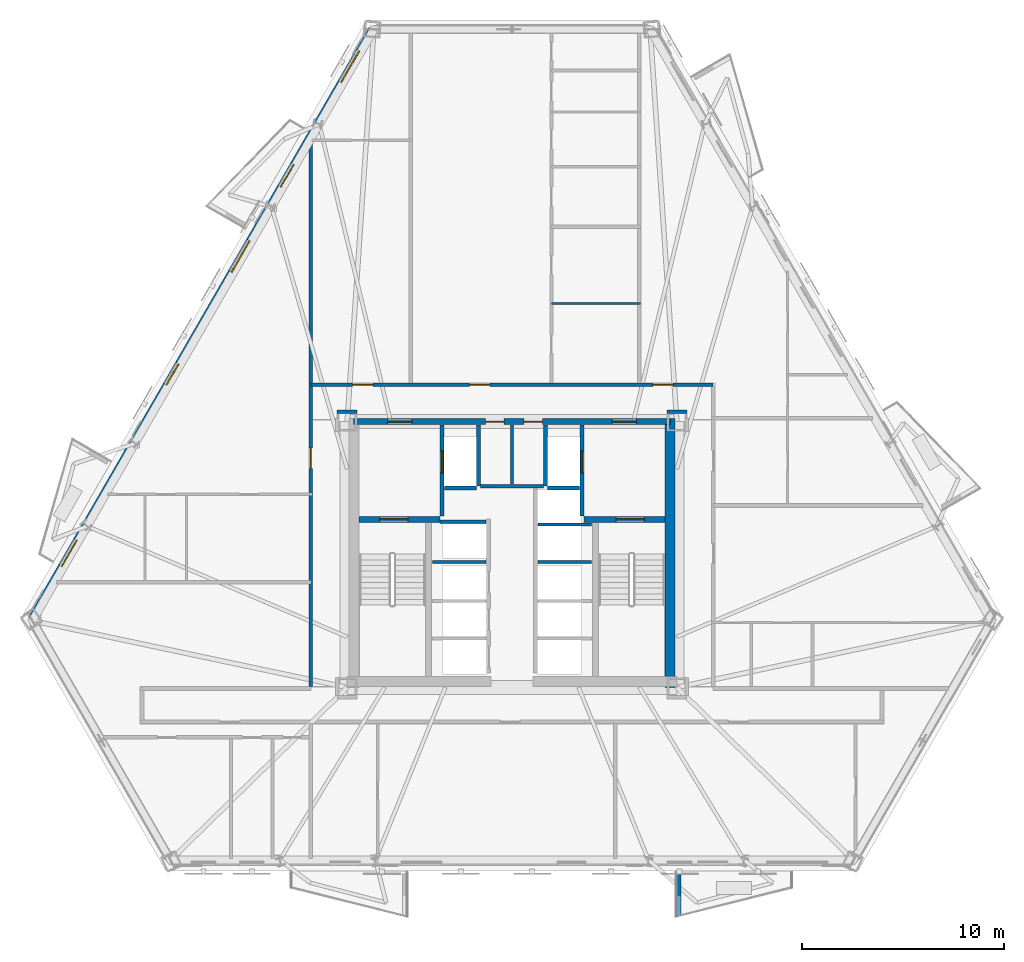
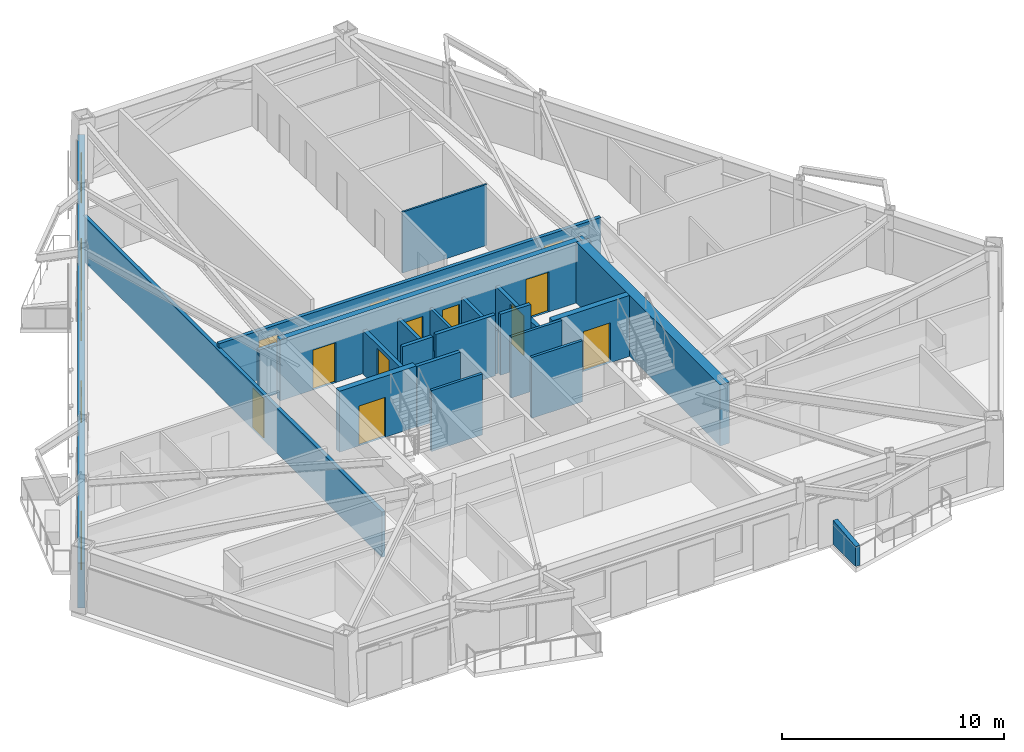
# One storey, part 4 of 10: 23 walls, 14 doors, 3 windows, 17 openings.
"""IFC4 building model written with IfcOpenShell, lengths in metres."""

from ifc_helpers import new_model, si_unit, direction, frame, frame_2d, origin, place, context, subcontext, project, spatial, polyline, rectangle, outline, extrude, material, layer, layer_set, type_object, element, fill, save


model = new_model("IFC4")

# Units and contexts
model_context = context("Model", 3, precision=1e-05, world=origin(), true_north=direction((0.0, 1.0)))
body_context = subcontext(model_context, "Body", "Model", "MODEL_VIEW")
ifc_project = project(units=[si_unit("LENGTHUNIT", "METRE"), si_unit("AREAUNIT", "SQUARE_METRE"), si_unit("VOLUMEUNIT", "CUBIC_METRE"), si_unit("PLANEANGLEUNIT", "RADIAN"), si_unit("MASSUNIT", "GRAM", prefix="KILO")], contexts=[model_context])

# Site, building, storey
site_placement = place(None, origin())
site = spatial("IfcSite", under=ifc_project, at=site_placement, CompositionType="ELEMENT")
building_placement = place(site_placement, origin())
building = spatial("IfcBuilding", under=site, at=building_placement, Name="Oramaril Tower", CompositionType="ELEMENT")
storey_placement = place(building_placement, frame((0.0, 0.0, 63.300048828125)))
storey = spatial("IfcBuildingStorey", under=building, at=storey_placement, Name="L16", CompositionType="ELEMENT", Elevation=63.300048828125)

# Wall, openings, doors, windows
ifc_material_1 = material(Name="Warm Cream Limestone", Category="masonry")
ifc_layer_1 = layer(ifc_material_1, 0.340087890625)
ifc_layer_set_1 = layer_set([ifc_layer_1], Name="WT-EXT34")
wall_type_1 = type_object("IfcWallType", Name="WT-EXT34", PredefinedType="SOLIDWALL", material=ifc_layer_set_1)
wall_1_placement = place(storey_placement, frame((30.564208984375, 43.54638671875, 0.0), z_axis=(0.0, 0.0, 1.0), x_axis=(-0.500001933811, -0.866024287295, 0.0)))
wall_1 = element("IfcWall", 1, at=wall_1_placement, inside=storey, type_object=wall_type_1, Name="L16 Tower Limestone Facade Wall 6M", PredefinedType="SOLIDWALL", context=body_context, shape_type="SweptSolid", body=[
    extrude(rectangle(XDim=33.674560546875, YDim=0.340087890625, at=frame_2d((16.83740234375, 0.0))), origin(), (0.0, 0.0, 1.0), 2.493896484375),
])
opening_1_placement = place(wall_1_placement, frame((7.71435546875, 0.0, 0.0)))
opening_1 = element("IfcOpeningElement", 2, at=opening_1_placement, cuts=wall_1, Name="Opening D-L16-BAL-NW1", PredefinedType="OPENING", context=body_context, shape_type="SweptSolid", body=[
    extrude(rectangle(XDim=1.300048828125, YDim=2.199951171875, at=frame_2d((0.64990234375, 1.10009765625))), frame((0.0, 0.169921875, 0.0), z_axis=(0.0, -1.0, 0.0), x_axis=(1.0, 0.0, 0.0)), (0.0, 0.0, 1.0), 0.340087890625),
])
opening_2_placement = place(wall_1_placement, frame((29.16552734375, 0.0, 0.0)))
opening_2 = element("IfcOpeningElement", 3, at=opening_2_placement, cuts=wall_1, Name="Opening D-L16-BAL-NW2", PredefinedType="OPENING", context=body_context, shape_type="SweptSolid", body=[
    extrude(rectangle(XDim=1.5, YDim=2.199951171875, at=frame_2d((0.75, 1.10009765625))), frame((0.0, 0.169921875, 0.0), z_axis=(0.0, -1.0, 0.0), x_axis=(1.0, 0.0, 0.0)), (0.0, 0.0, 1.0), 0.340087890625),
])
opening_3_placement = place(wall_1_placement, frame((12.072021484375, 0.0, 0.85009765625)))
opening_3 = element("IfcOpeningElement", 4, at=opening_3_placement, cuts=wall_1, Name="Opening WN-06", PredefinedType="OPENING", context=body_context, shape_type="SweptSolid", body=[
    extrude(rectangle(XDim=1.800048828125, YDim=1.533935546875, at=frame_2d((0.89990234375, 0.76708984375))), frame((0.0, 0.169921875, 0.0), z_axis=(0.0, -1.0, 0.0), x_axis=(1.0, 0.0, 0.0)), (0.0, 0.0, 1.0), 0.340087890625),
])
opening_4_placement = place(wall_1_placement, frame((19.109130859375, 0.0, 0.85009765625)))
opening_4 = element("IfcOpeningElement", 5, at=opening_4_placement, cuts=wall_1, Name="Opening WN-09", PredefinedType="OPENING", context=body_context, shape_type="SweptSolid", body=[
    extrude(rectangle(XDim=1.199951171875, YDim=1.47998046875, at=frame_2d((0.60009765625, 0.739990234375))), frame((0.0, 0.169921875, 0.0), z_axis=(0.0, -1.0, 0.0), x_axis=(1.0, 0.0, 0.0)), (0.0, 0.0, 1.0), 0.340087890625),
])
opening_5_placement = place(wall_1_placement, frame((1.231689453125, 0.0, 0.85009765625)))
opening_5 = element("IfcOpeningElement", 6, at=opening_5_placement, cuts=wall_1, Name="Opening WN-06", PredefinedType="OPENING", context=body_context, shape_type="SweptSolid", body=[
    extrude(rectangle(XDim=1.800048828125, YDim=1.533935546875, at=frame_2d((0.89990234375, 0.76708984375))), frame((0.0, 0.169921875, 0.0), z_axis=(0.0, -1.0, 0.0), x_axis=(1.0, 0.0, 0.0)), (0.0, 0.0, 1.0), 0.340087890625),
])
ifc_material_2 = material(Name="Anodised Aluminium 6063-T6", Category="aluminium")
door_type_1 = type_object("IfcDoorType", Name="DT-BAL", OperationType="NOTDEFINED", PredefinedType="DOOR", material=ifc_material_2)
door_1_placement = place(opening_2_placement, origin())
door_1 = element("IfcDoor", 7, at=door_1_placement, inside=storey, type_object=door_type_1, Name="L16 Balcony Glazed Door L16-BAL-NW2", OperationType="SINGLE_SWING_RIGHT", OverallHeight=2.199951171875, OverallWidth=1.5, PredefinedType="DOOR", context=body_context, shape_type="SweptSolid", body=[
    extrude(rectangle(XDim=1.5, YDim=2.199951171875, at=frame_2d((0.75, 1.10009765625))), frame((0.0, 0.02490234375, 0.0), z_axis=(0.0, -1.0, 0.0), x_axis=(1.0, 0.0, 0.0)), (0.0, 0.0, 1.0), 0.050048828125),
])
fill(opening_2, door_1)
ifc_material_3 = material(Name="Anodised Aluminium 6063-T6", Category="aluminium")
door_type_2 = type_object("IfcDoorType", Name="DT-E2", OperationType="NOTDEFINED", PredefinedType="DOOR", material=ifc_material_3)
door_2_placement = place(opening_1_placement, origin())
door_2 = element("IfcDoor", 8, at=door_2_placement, inside=storey, type_object=door_type_2, Name="L16 Balcony Glazed Door L16-BAL-NW1", OperationType="SINGLE_SWING_LEFT", OverallHeight=2.199951171875, OverallWidth=1.300048828125, PredefinedType="DOOR", context=body_context, shape_type="SweptSolid", body=[
    extrude(rectangle(XDim=1.300048828125, YDim=2.199951171875, at=frame_2d((0.64990234375, 1.10009765625))), frame((0.0, 0.02490234375, 0.0), z_axis=(0.0, -1.0, 0.0), x_axis=(1.0, 0.0, 0.0)), (0.0, 0.0, 1.0), 0.050048828125),
])
fill(opening_1, door_2)
ifc_material_4 = material(Name="Coastal Low-E Insulated Glass", Category="glass")
window_type_1 = type_object("IfcWindowType", Name="WNT-06", PartitioningType="SINGLE_PANEL", PredefinedType="WINDOW", material=ifc_material_4)
window_1_placement = place(opening_3_placement, origin())
window_1 = element("IfcWindow", 9, at=window_1_placement, inside=storey, type_object=window_type_1, Name="L16 Chicago Bay Window WN-06", OverallHeight=1.533935546875, OverallWidth=1.800048828125, PartitioningType="SINGLE_PANEL", PredefinedType="WINDOW", context=body_context, shape_type="SweptSolid", body=[
    extrude(rectangle(XDim=1.800048828125, YDim=1.533935546875, at=frame_2d((0.89990234375, 0.76708984375))), frame((0.0, 0.030029296875, 0.0), z_axis=(0.0, -1.0, 0.0), x_axis=(1.0, 0.0, 0.0)), (0.0, 0.0, 1.0), 0.06005859375),
])
fill(opening_3, window_1)
window_2_placement = place(opening_5_placement, origin())
window_2 = element("IfcWindow", 10, at=window_2_placement, inside=storey, type_object=window_type_1, Name="L16 Chicago Bay Window WN-06", OverallHeight=1.533935546875, OverallWidth=1.800048828125, PartitioningType="SINGLE_PANEL", PredefinedType="WINDOW", context=body_context, shape_type="SweptSolid", body=[
    extrude(rectangle(XDim=1.800048828125, YDim=1.533935546875, at=frame_2d((0.89990234375, 0.76708984375))), frame((0.0, 0.030029296875, 0.0), z_axis=(0.0, -1.0, 0.0), x_axis=(1.0, 0.0, 0.0)), (0.0, 0.0, 1.0), 0.06005859375),
])
fill(opening_5, window_2)
ifc_material_5 = material(Name="Coastal Low-E Insulated Glass", Category="glass")
window_type_2 = type_object("IfcWindowType", Name="WNT-09", PartitioningType="SINGLE_PANEL", PredefinedType="WINDOW", material=ifc_material_5)
window_3_placement = place(opening_4_placement, origin())
window_3 = element("IfcWindow", 11, at=window_3_placement, inside=storey, type_object=window_type_2, Name="L16 Chicago Bay Window WN-09", OverallHeight=1.47998046875, OverallWidth=1.199951171875, PartitioningType="SINGLE_PANEL", PredefinedType="WINDOW", context=body_context, shape_type="SweptSolid", body=[
    extrude(rectangle(XDim=1.199951171875, YDim=1.47998046875, at=frame_2d((0.60009765625, 0.739990234375))), frame((0.0, 0.030029296875, 0.0), z_axis=(0.0, -1.0, 0.0), x_axis=(1.0, 0.0, 0.0)), (0.0, 0.0, 1.0), 0.06005859375),
])
fill(opening_4, window_3)

# Walls
ifc_material_6 = material(Name="Concrete C40/50", Category="concrete")
ifc_layer_2 = layer(ifc_material_6, 0.22998046875)
ifc_layer_set_2 = layer_set([ifc_layer_2], Name="WT-PRP23")
wall_type_2 = type_object("IfcWallType", Name="WT-PRP23", PredefinedType="PARAPET", material=ifc_layer_set_2)
wall_2_placement = place(storey_placement, frame((45.73291015625, 1.772216796875, 0.0), z_axis=(0.0, 0.0, 1.0), x_axis=(0.0, -1.0, 0.0)))
element("IfcWall", 12, at=wall_2_placement, inside=storey, type_object=wall_type_2, Name="L16 Trapezoidal Balcony Frame Cheek L16-BAL-S2-L", PredefinedType="PARAPET", context=body_context, shape_type="SweptSolid", body=[
    extrude(outline(polyline([(0.0, 0.0), (2.0419921875, 0.0), (2.0419921875, 1.099853515625), (0.0, 1.320068359375), (0.0, 0.0)])), frame((0.0, 0.114990234375, 0.0), z_axis=(0.0, -1.0, 0.0), x_axis=(1.0, 0.0, 0.0)), (0.0, 0.0, 1.0), 0.22998046875),
])
ifc_material_7 = material(Name="Acoustic Gypsum Board Partition")
ifc_layer_3 = layer(ifc_material_7, 0.10009765625)
ifc_layer_set_3 = layer_set([ifc_layer_3], Name="WT-PT10")
wall_type_3 = type_object("IfcWallType", Name="WT-PT10", PredefinedType="PARTITIONING", material=ifc_layer_set_3)
wall_3_placement = place(storey_placement, frame((39.449951171875, 29.989990234375, 0.0), z_axis=(0.0, 0.0, 1.0), x_axis=(1.0, 0.0, 0.0)))
element("IfcWall", 13, at=wall_3_placement, inside=storey, type_object=wall_type_3, Name="L16 Interior Partition PT-10", PredefinedType="PARTITIONING", context=body_context, shape_type="SweptSolid", body=[
    extrude(rectangle(XDim=4.400146484375, YDim=0.10009765625, at=frame_2d((2.2001953125, 0.0))), origin(), (0.0, 0.0, 1.0), 3.35986328125),
])
ifc_material_8 = material(Name="Acoustic Gypsum Board Partition")
ifc_layer_4 = layer(ifc_material_8, 0.139892578125)
ifc_layer_set_4 = layer_set([ifc_layer_4], Name="WT-PT14")
wall_type_4 = type_object("IfcWallType", Name="WT-PT14", PredefinedType="PARTITIONING", material=ifc_layer_set_4)
for number, where, z_axis, x_axis, name in (
    (14, (33.56005859375, 17.199951171875, 0.0), (0.0, 0.0, 1.0), (1.0, 0.0, 0.0), "L16 West Lift Divider"),
    (15, (38.780029296875, 17.199951171875, 0.0), (0.0, 0.0, 1.0), (1.0, 0.0, 0.0), "L16 East Lift Divider"),
    (16, (38.780029296875, 19.050048828125, 0.0), (0.0, 0.0, 1.0), (1.0, 0.0, 0.0), "L16 East Lift Divider"),
):
    element("IfcWall", number, at=place(storey_placement, frame(where, z_axis=z_axis, x_axis=x_axis)), inside=storey, type_object=wall_type_4, Name=name, PredefinedType="PARTITIONING", context=body_context, shape_type="SweptSolid", body=[
        extrude(rectangle(XDim=2.659912109375, YDim=0.139892578125, at=frame_2d((1.330078125, 0.0))), origin(), (0.0, 0.0, 1.0), 3.35986328125),
    ])
wall_4_placement = place(storey_placement, frame((37.5, 21.06005859375, 0.0), z_axis=(0.0, 0.0, 1.0), x_axis=(0.0, 1.0, 0.0)))
element("IfcWall", 17, at=wall_4_placement, inside=storey, type_object=wall_type_4, Name="L16 Core Service Divider", PredefinedType="PARTITIONING", context=body_context, shape_type="SweptSolid", body=[
    extrude(rectangle(XDim=2.919921875, YDim=0.139892578125, at=frame_2d((1.4599609375, 0.0))), origin(), (0.0, 0.0, 1.0), 2.39990234375),
])
ifc_material_9 = material(Name="Autoclaved Cellular Concrete Block", Category="concrete")
ifc_layer_5 = layer(ifc_material_9, 0.179931640625)
ifc_layer_set_5 = layer_set([ifc_layer_5], Name="WT-PT18")
wall_type_5 = type_object("IfcWallType", Name="WT-PT18", PredefinedType="PARTITIONING", material=ifc_layer_set_5)
wall_5_placement = place(storey_placement, frame((35.840087890625, 20.9599609375, 0.0), z_axis=(0.0, 0.0, 1.0), x_axis=(0.0, 1.0, 0.0)))
element("IfcWall", 18, at=wall_5_placement, inside=storey, type_object=wall_type_5, Name="L16 FL-1 East Shaft Wall", PredefinedType="PARTITIONING", context=body_context, shape_type="SweptSolid", body=[
    extrude(rectangle(XDim=3.02001953125, YDim=0.179931640625, at=frame_2d((1.510009765625, 0.0))), origin(), (0.0, 0.0, 1.0), 2.39990234375),
])
wall_6_placement = place(storey_placement, frame((34.159912109375, 20.860107421875, 0.0), z_axis=(0.0, 0.0, 1.0), x_axis=(1.0, 0.0, 0.0)))
element("IfcWall", 19, at=wall_6_placement, inside=storey, type_object=wall_type_5, Name="L16 FL-1 South Shaft Wall", PredefinedType="PARTITIONING", context=body_context, shape_type="SweptSolid", body=[
    extrude(rectangle(XDim=1.580078125, YDim=0.179931640625, at=frame_2d((0.7900390625, 0.0))), origin(), (0.0, 0.0, 1.0), 3.35986328125),
])
wall_7_placement = place(storey_placement, frame((39.159912109375, 20.9599609375, 0.0), z_axis=(0.0, 0.0, 1.0), x_axis=(0.0, 1.0, 0.0)))
element("IfcWall", 20, at=wall_7_placement, inside=storey, type_object=wall_type_5, Name="L16 FL-2 West Shaft Wall", PredefinedType="PARTITIONING", context=body_context, shape_type="SweptSolid", body=[
    extrude(rectangle(XDim=3.02001953125, YDim=0.179931640625, at=frame_2d((1.510009765625, 0.0))), origin(), (0.0, 0.0, 1.0), 2.39990234375),
])
wall_8_placement = place(storey_placement, frame((39.260009765625, 20.860107421875, 0.0), z_axis=(0.0, 0.0, 1.0), x_axis=(1.0, 0.0, 0.0)))
element("IfcWall", 21, at=wall_8_placement, inside=storey, type_object=wall_type_5, Name="L16 FL-2 South Shaft Wall", PredefinedType="PARTITIONING", context=body_context, shape_type="SweptSolid", body=[
    extrude(rectangle(XDim=1.580078125, YDim=0.179931640625, at=frame_2d((0.7900390625, 0.0))), origin(), (0.0, 0.0, 1.0), 3.35986328125),
])
wall_9_placement = place(storey_placement, frame((33.949951171875, 19.199951171875, 0.0), z_axis=(0.0, 0.0, 1.0), x_axis=(1.0, 0.0, 0.0)))
element("IfcWall", 22, at=wall_9_placement, inside=storey, type_object=wall_type_5, Name="L16 High-Rise Lift H1 North Shaft Wall", PredefinedType="PARTITIONING", context=body_context, shape_type="SweptSolid", body=[
    extrude(rectangle(XDim=2.27001953125, YDim=0.179931640625, at=frame_2d((1.135009765625, 0.0))), origin(), (0.0, 0.0, 1.0), 3.35986328125),
])
wall_10_placement = place(storey_placement, frame((35.949951171875, 20.949951171875, 0.0), z_axis=(0.0, 0.0, 1.0), x_axis=(1.0, 0.0, 0.0)))
element("IfcWall", 23, at=wall_10_placement, inside=storey, type_object=wall_type_5, Name="L16 Lift Lobby North Partition", PredefinedType="PARTITIONING", context=body_context, shape_type="SweptSolid", body=[
    extrude(rectangle(XDim=3.10009765625, YDim=0.179931640625, at=frame_2d((1.550048828125, 0.0))), origin(), (0.0, 0.0, 1.0), 3.35986328125),
])
for number, where, z_axis, x_axis, name in (
    (24, (28.85498046875, 24.639892578125, 0.0), (0.0, 0.0, 1.0), (1.0, 0.0, 0.0), "L16 Interior Partition PT-18"),
    (25, (45.155029296875, 24.639892578125, 0.0), (0.0, 0.0, 1.0), (1.0, 0.0, 0.0), "L16 Interior Partition PT-18"),
):
    element("IfcWall", number, at=place(storey_placement, frame(where, z_axis=z_axis, x_axis=x_axis)), inside=storey, type_object=wall_type_5, Name=name, PredefinedType="PARTITIONING", context=body_context, shape_type="SweptSolid", body=[
        extrude(rectangle(XDim=0.989990234375, YDim=0.179931640625, at=frame_2d((0.4951171875, 0.0))), origin(), (0.0, 0.0, 1.0), 2.738037109375),
    ])

# Wall, openings, doors
wall_11_placement = place(storey_placement, frame((27.550048828125, 25.969970703125, 0.0), z_axis=(0.0, 0.0, 1.0), x_axis=(1.0, 0.0, 0.0)))
wall_11 = element("IfcWall", 26, at=wall_11_placement, inside=storey, type_object=wall_type_5, Name="L16 Interior Partition PT-18", PredefinedType="PARTITIONING", context=body_context, shape_type="SweptSolid", body=[
    extrude(rectangle(XDim=19.89990234375, YDim=0.179931640625, at=frame_2d((9.949951171875, 0.0))), origin(), (0.0, 0.0, 1.0), 2.738037109375),
])
opening_6_placement = place(wall_11_placement, frame((2.0703125, 0.0, 0.0)))
opening_6 = element("IfcOpeningElement", 27, at=opening_6_placement, cuts=wall_11, Name="Opening D-L16-13", PredefinedType="OPENING", context=body_context, shape_type="SweptSolid", body=[
    extrude(rectangle(XDim=1.0, YDim=2.179931640625, at=frame_2d((0.5, 1.08984375))), frame((0.0, 0.08984375, 0.0), z_axis=(0.0, -1.0, 0.0), x_axis=(1.0, 0.0, 0.0)), (0.0, 0.0, 1.0), 0.179931640625),
])
opening_7_placement = place(wall_11_placement, frame((7.851318359375, 0.0, 0.0)))
opening_7 = element("IfcOpeningElement", 28, at=opening_7_placement, cuts=wall_11, Name="Opening D-L16-14", PredefinedType="OPENING", context=body_context, shape_type="SweptSolid", body=[
    extrude(rectangle(XDim=1.0, YDim=2.179931640625, at=frame_2d((0.5, 1.08984375))), frame((0.0, 0.08984375, 0.0), z_axis=(0.0, -1.0, 0.0), x_axis=(1.0, 0.0, 0.0)), (0.0, 0.0, 1.0), 0.179931640625),
])
opening_8_placement = place(wall_11_placement, frame((16.91552734375, 0.0, 0.0)))
opening_8 = element("IfcOpeningElement", 29, at=opening_8_placement, cuts=wall_11, Name="Opening D-L16-15", PredefinedType="OPENING", context=body_context, shape_type="SweptSolid", body=[
    extrude(rectangle(XDim=1.0, YDim=2.179931640625, at=frame_2d((0.5, 1.08984375))), frame((0.0, 0.08984375, 0.0), z_axis=(0.0, -1.0, 0.0), x_axis=(1.0, 0.0, 0.0)), (0.0, 0.0, 1.0), 0.179931640625),
])
ifc_material_10 = material(Name="FSC Brazilian Freijo Hardwood", Category="wood")
door_type_3 = type_object("IfcDoorType", Name="DT-APT", OperationType="NOTDEFINED", PredefinedType="DOOR", material=ifc_material_10)
door_3_placement = place(opening_6_placement, origin())
door_3 = element("IfcDoor", 30, at=door_3_placement, inside=storey, type_object=door_type_3, Name="L16 Flat L16-U7 Kitchen and Studio Apartment Door D-L16-13", OperationType="SINGLE_SWING_RIGHT", OverallHeight=2.179931640625, OverallWidth=1.0, PredefinedType="DOOR", context=body_context, shape_type="SweptSolid", body=[
    extrude(rectangle(XDim=1.0, YDim=2.179931640625, at=frame_2d((0.5, 1.08984375))), frame((0.0, 0.02490234375, 0.0), z_axis=(0.0, -1.0, 0.0), x_axis=(1.0, 0.0, 0.0)), (0.0, 0.0, 1.0), 0.050048828125),
])
fill(opening_6, door_3)
door_4_placement = place(opening_7_placement, origin())
door_4 = element("IfcDoor", 31, at=door_4_placement, inside=storey, type_object=door_type_3, Name="L16 Flat L16-U8 Penthouse 2-Bedroom Living and Dining Room Door D-L16-14", OperationType="SINGLE_SWING_LEFT", OverallHeight=2.179931640625, OverallWidth=1.0, PredefinedType="DOOR", context=body_context, shape_type="SweptSolid", body=[
    extrude(rectangle(XDim=1.0, YDim=2.179931640625, at=frame_2d((0.5, 1.08984375))), frame((0.0, 0.02490234375, 0.0), z_axis=(0.0, -1.0, 0.0), x_axis=(1.0, 0.0, 0.0)), (0.0, 0.0, 1.0), 0.050048828125),
])
fill(opening_7, door_4)
door_5_placement = place(opening_8_placement, origin())
door_5 = element("IfcDoor", 32, at=door_5_placement, inside=storey, type_object=door_type_3, Name="L16 Flat L16-U9 Studio Apartment Door D-L16-15", OperationType="SINGLE_SWING_RIGHT", OverallHeight=2.179931640625, OverallWidth=1.0, PredefinedType="DOOR", context=body_context, shape_type="SweptSolid", body=[
    extrude(rectangle(XDim=1.0, YDim=2.179931640625, at=frame_2d((0.5, 1.08984375))), frame((0.0, 0.02490234375, 0.0), z_axis=(0.0, -1.0, 0.0), x_axis=(1.0, 0.0, 0.0)), (0.0, 0.0, 1.0), 0.050048828125),
])
fill(opening_8, door_5)

# Wall, opening, door
wall_12_placement = place(storey_placement, frame((27.550048828125, 11.0439453125, 0.0), z_axis=(0.0, 0.0, 1.0), x_axis=(0.0, 1.0, 0.0)))
wall_12 = element("IfcWall", 33, at=wall_12_placement, inside=storey, type_object=wall_type_5, Name="L16 Interior Partition PT-18", PredefinedType="PARTITIONING", context=body_context, shape_type="SweptSolid", body=[
    extrude(rectangle(XDim=26.9521484375, YDim=0.179931640625, at=frame_2d((13.47607421875, 0.0))), origin(), (0.0, 0.0, 1.0), 2.493896484375),
])
opening_9_placement = place(wall_12_placement, frame((10.79541015625, 0.0, 0.0)))
opening_9 = element("IfcOpeningElement", 34, at=opening_9_placement, cuts=wall_12, Name="Opening D-L16-17", PredefinedType="OPENING", context=body_context, shape_type="SweptSolid", body=[
    extrude(rectangle(XDim=1.0, YDim=2.179931640625, at=frame_2d((0.5, 1.08984375))), frame((0.0, 0.08984375, 0.0), z_axis=(0.0, -1.0, 0.0), x_axis=(1.0, 0.0, 0.0)), (0.0, 0.0, 1.0), 0.179931640625),
])
door_6_placement = place(opening_9_placement, origin())
door_6 = element("IfcDoor", 35, at=door_6_placement, inside=storey, type_object=door_type_3, Name="L16 Flat L16-U4 Penthouse Living and Dining Room Door D-L16-17", OperationType="SINGLE_SWING_RIGHT", OverallHeight=2.179931640625, OverallWidth=1.0, PredefinedType="DOOR", context=body_context, shape_type="SweptSolid", body=[
    extrude(rectangle(XDim=1.0, YDim=2.179931640625, at=frame_2d((0.5, 1.08984375))), frame((0.0, 0.02490234375, 0.0), z_axis=(0.0, -1.0, 0.0), x_axis=(1.0, 0.0, 0.0)), (0.0, 0.0, 1.0), 0.050048828125),
])
fill(opening_9, door_6)

# Wall, openings, doors
ifc_material_11 = material(Name="Concrete C50/60", Category="concrete")
ifc_layer_6 = layer(ifc_material_11, 0.300048828125)
ifc_layer_set_6 = layer_set([ifc_layer_6], Name="WT-SH30")
wall_type_6 = type_object("IfcWallType", Name="WT-SH30", PredefinedType="SHEAR", material=ifc_layer_set_6)
wall_13_placement = place(storey_placement, frame((29.64990234375, 24.14990234375, 0.0), z_axis=(0.0, 0.0, 1.0), x_axis=(1.0, 0.0, 0.0)))
wall_13 = element("IfcWall", 36, at=wall_13_placement, inside=storey, type_object=wall_type_6, Name="L16 Core Shear Wall CW-N", PredefinedType="SHEAR", context=body_context, shape_type="SweptSolid", body=[
    extrude(rectangle(XDim=15.7001953125, YDim=0.300048828125, at=frame_2d((7.85009765625, 0.0))), origin(), (0.0, 0.0, 1.0), 3.35986328125),
])
opening_10_placement = place(wall_13_placement, frame((1.699951171875, 0.0, 0.0)))
opening_10 = element("IfcOpeningElement", 37, at=opening_10_placement, cuts=wall_13, Name="Opening D-L16-FFL1", PredefinedType="OPENING", context=body_context, shape_type="SweptSolid", body=[
    extrude(rectangle(XDim=1.199951171875, YDim=2.199951171875, at=frame_2d((0.60009765625, 1.10009765625))), frame((0.0, 0.14990234375, 0.0), z_axis=(0.0, -1.0, 0.0), x_axis=(1.0, 0.0, 0.0)), (0.0, 0.0, 1.0), 0.300048828125),
])
opening_11_placement = place(wall_13_placement, frame((12.800048828125, 0.0, 0.0)))
opening_11 = element("IfcOpeningElement", 38, at=opening_11_placement, cuts=wall_13, Name="Opening D-L16-FFL2", PredefinedType="OPENING", context=body_context, shape_type="SweptSolid", body=[
    extrude(rectangle(XDim=1.199951171875, YDim=2.199951171875, at=frame_2d((0.60009765625, 1.10009765625))), frame((0.0, 0.14990234375, 0.0), z_axis=(0.0, -1.0, 0.0), x_axis=(1.0, 0.0, 0.0)), (0.0, 0.0, 1.0), 0.300048828125),
])
opening_12_placement = place(wall_13_placement, frame((6.550048828125, 0.0, 0.0)))
opening_12 = element("IfcOpeningElement", 39, at=opening_12_placement, cuts=wall_13, Name="Opening D-L16-SV1", PredefinedType="OPENING", context=body_context, shape_type="SweptSolid", body=[
    extrude(rectangle(XDim=0.89990234375, YDim=2.050048828125, at=frame_2d((0.449951171875, 1.02490234375))), frame((0.0, 0.14990234375, 0.0), z_axis=(0.0, -1.0, 0.0), x_axis=(1.0, 0.0, 0.0)), (0.0, 0.0, 1.0), 0.300048828125),
])
opening_13_placement = place(wall_13_placement, frame((8.449951171875, 0.0, 0.0)))
opening_13 = element("IfcOpeningElement", 40, at=opening_13_placement, cuts=wall_13, Name="Opening D-L16-SV2", PredefinedType="OPENING", context=body_context, shape_type="SweptSolid", body=[
    extrude(rectangle(XDim=0.89990234375, YDim=2.050048828125, at=frame_2d((0.449951171875, 1.02490234375))), frame((0.0, 0.14990234375, 0.0), z_axis=(0.0, -1.0, 0.0), x_axis=(1.0, 0.0, 0.0)), (0.0, 0.0, 1.0), 0.300048828125),
])
ifc_material_12 = material(Name="Painted Galvanised Steel", Category="steel")
door_type_4 = type_object("IfcDoorType", Name="DT-FFL", OperationType="NOTDEFINED", PredefinedType="DOOR", material=ifc_material_12)
door_7_placement = place(opening_10_placement, origin())
door_7 = element("IfcDoor", 41, at=door_7_placement, inside=storey, type_object=door_type_4, Name="L16 Firefighting Lobby 1 Fire Door", OperationType="SINGLE_SWING_LEFT", OverallHeight=2.199951171875, OverallWidth=1.199951171875, PredefinedType="DOOR", context=body_context, shape_type="SweptSolid", body=[
    extrude(rectangle(XDim=1.199951171875, YDim=2.199951171875, at=frame_2d((0.60009765625, 1.10009765625))), frame((0.0, 0.02490234375, 0.0), z_axis=(0.0, -1.0, 0.0), x_axis=(1.0, 0.0, 0.0)), (0.0, 0.0, 1.0), 0.050048828125),
])
fill(opening_10, door_7)
door_8_placement = place(opening_11_placement, origin())
door_8 = element("IfcDoor", 42, at=door_8_placement, inside=storey, type_object=door_type_4, Name="L16 Firefighting Lobby 2 Fire Door", OperationType="SINGLE_SWING_RIGHT", OverallHeight=2.199951171875, OverallWidth=1.199951171875, PredefinedType="DOOR", context=body_context, shape_type="SweptSolid", body=[
    extrude(rectangle(XDim=1.199951171875, YDim=2.199951171875, at=frame_2d((0.60009765625, 1.10009765625))), frame((0.0, 0.02490234375, 0.0), z_axis=(0.0, -1.0, 0.0), x_axis=(1.0, 0.0, 0.0)), (0.0, 0.0, 1.0), 0.050048828125),
])
fill(opening_11, door_8)
ifc_material_13 = material(Name="Painted Galvanised Steel", Category="steel")
door_type_5 = type_object("IfcDoorType", Name="DT-SVC", OperationType="NOTDEFINED", PredefinedType="DOOR", material=ifc_material_13)
door_9_placement = place(opening_12_placement, origin())
door_9 = element("IfcDoor", 43, at=door_9_placement, inside=storey, type_object=door_type_5, Name="L16 Core Service Store 1 Door", OperationType="SINGLE_SWING_LEFT", OverallHeight=2.050048828125, OverallWidth=0.89990234375, PredefinedType="DOOR", context=body_context, shape_type="SweptSolid", body=[
    extrude(rectangle(XDim=0.89990234375, YDim=2.050048828125, at=frame_2d((0.449951171875, 1.02490234375))), frame((0.0, 0.02490234375, 0.0), z_axis=(0.0, -1.0, 0.0), x_axis=(1.0, 0.0, 0.0)), (0.0, 0.0, 1.0), 0.050048828125),
])
fill(opening_12, door_9)
door_10_placement = place(opening_13_placement, origin())
door_10 = element("IfcDoor", 44, at=door_10_placement, inside=storey, type_object=door_type_5, Name="L16 Core Service Store 2 Door", OperationType="SINGLE_SWING_RIGHT", OverallHeight=2.050048828125, OverallWidth=0.89990234375, PredefinedType="DOOR", context=body_context, shape_type="SweptSolid", body=[
    extrude(rectangle(XDim=0.89990234375, YDim=2.050048828125, at=frame_2d((0.449951171875, 1.02490234375))), frame((0.0, 0.02490234375, 0.0), z_axis=(0.0, -1.0, 0.0), x_axis=(1.0, 0.0, 0.0)), (0.0, 0.0, 1.0), 0.050048828125),
])
fill(opening_13, door_10)

# Wall, opening, door
wall_14_placement = place(storey_placement, frame((29.93994140625, 19.31005859375, 0.0), z_axis=(0.0, 0.0, 1.0), x_axis=(1.0, 0.0, 0.0)))
wall_14 = element("IfcWall", 45, at=wall_14_placement, inside=storey, type_object=wall_type_6, Name="L16 Core Shear Wall CW-ST1N", PredefinedType="SHEAR", context=body_context, shape_type="SweptSolid", body=[
    extrude(rectangle(XDim=4.010009765625, YDim=0.300048828125, at=frame_2d((2.0048828125, 0.0))), origin(), (0.0, 0.0, 1.0), 3.35986328125),
])
opening_14_placement = place(wall_14_placement, frame((1.010009765625, 0.0, 0.0)))
opening_14 = element("IfcOpeningElement", 46, at=opening_14_placement, cuts=wall_14, Name="Opening D-L16-ST1", PredefinedType="OPENING", context=body_context, shape_type="SweptSolid", body=[
    extrude(rectangle(XDim=1.39990234375, YDim=2.199951171875, at=frame_2d((0.699951171875, 1.10009765625))), frame((0.0, 0.14990234375, 0.0), z_axis=(0.0, -1.0, 0.0), x_axis=(1.0, 0.0, 0.0)), (0.0, 0.0, 1.0), 0.300048828125),
])
ifc_material_14 = material(Name="Painted Galvanised Steel", Category="steel")
door_type_6 = type_object("IfcDoorType", Name="DT-ST", OperationType="NOTDEFINED", PredefinedType="DOOR", material=ifc_material_14)
door_11_placement = place(opening_14_placement, origin())
door_11 = element("IfcDoor", 47, at=door_11_placement, inside=storey, type_object=door_type_6, Name="L16 Protected Stair ST-1 Fire Door", OperationType="SINGLE_SWING_LEFT", OverallHeight=2.199951171875, OverallWidth=1.39990234375, PredefinedType="DOOR", context=body_context, shape_type="SweptSolid", body=[
    extrude(rectangle(XDim=1.39990234375, YDim=2.199951171875, at=frame_2d((0.699951171875, 1.10009765625))), frame((0.0, 0.02490234375, 0.0), z_axis=(0.0, -1.0, 0.0), x_axis=(1.0, 0.0, 0.0)), (0.0, 0.0, 1.0), 0.050048828125),
])
fill(opening_14, door_11)

wall_15_placement = place(storey_placement, frame((41.050048828125, 19.31005859375, 0.0), z_axis=(0.0, 0.0, 1.0), x_axis=(1.0, 0.0, 0.0)))
wall_15 = element("IfcWall", 48, at=wall_15_placement, inside=storey, type_object=wall_type_6, Name="L16 Core Shear Wall CW-ST2N", PredefinedType="SHEAR", context=body_context, shape_type="SweptSolid", body=[
    extrude(rectangle(XDim=4.010009765625, YDim=0.300048828125, at=frame_2d((2.0048828125, 0.0))), origin(), (0.0, 0.0, 1.0), 3.35986328125),
])
opening_15_placement = place(wall_15_placement, frame((1.60009765625, 0.0, 0.0)))
opening_15 = element("IfcOpeningElement", 49, at=opening_15_placement, cuts=wall_15, Name="Opening D-L16-ST2", PredefinedType="OPENING", context=body_context, shape_type="SweptSolid", body=[
    extrude(rectangle(XDim=1.39990234375, YDim=2.199951171875, at=frame_2d((0.699951171875, 1.10009765625))), frame((0.0, 0.14990234375, 0.0), z_axis=(0.0, -1.0, 0.0), x_axis=(1.0, 0.0, 0.0)), (0.0, 0.0, 1.0), 0.300048828125),
])
door_12_placement = place(opening_15_placement, origin())
door_12 = element("IfcDoor", 50, at=door_12_placement, inside=storey, type_object=door_type_6, Name="L16 Protected Stair ST-2 Fire Door", OperationType="SINGLE_SWING_RIGHT", OverallHeight=2.199951171875, OverallWidth=1.39990234375, PredefinedType="DOOR", context=body_context, shape_type="SweptSolid", body=[
    extrude(rectangle(XDim=1.39990234375, YDim=2.199951171875, at=frame_2d((0.699951171875, 1.10009765625))), frame((0.0, 0.02490234375, 0.0), z_axis=(0.0, -1.0, 0.0), x_axis=(1.0, 0.0, 0.0)), (0.0, 0.0, 1.0), 0.050048828125),
])
fill(opening_15, door_12)

# Wall
ifc_material_15 = material(Name="Concrete C50/60", Category="concrete")
ifc_layer_7 = layer(ifc_material_15, 0.5)
ifc_layer_set_7 = layer_set([ifc_layer_7], Name="WT-SH50")
wall_type_7 = type_object("IfcWallType", Name="WT-SH50", PredefinedType="SHEAR", material=ifc_layer_set_7)
wall_16_placement = place(storey_placement, frame((45.31005859375, 11.0, 0.0), z_axis=(0.0, 0.0, 1.0), x_axis=(0.0, 1.0, 0.0)))
element("IfcWall", 51, at=wall_16_placement, inside=storey, type_object=wall_type_7, Name="L16 Core Shear Wall CW-E", PredefinedType="SHEAR", context=body_context, shape_type="SweptSolid", body=[
    extrude(rectangle(XDim=13.300048828125, YDim=0.5, at=frame_2d((6.64990234375, 0.0))), origin(), (0.0, 0.0, 1.0), 3.35986328125),
])

# Wall, opening, door
ifc_material_16 = material(Name="Autoclaved Cellular Concrete Block", Category="concrete")
ifc_layer_8 = layer(ifc_material_16, 0.199951171875)
ifc_layer_set_8 = layer_set([ifc_layer_8], Name="WT-SHF20")
wall_type_8 = type_object("IfcWallType", Name="WT-SHF20", PredefinedType="PARTITIONING", material=ifc_layer_set_8)
wall_17_placement = place(storey_placement, frame((34.0400390625, 19.47998046875, 0.0), z_axis=(0.0, 0.0, 1.0), x_axis=(0.0, 1.0, 0.0)))
wall_17 = element("IfcWall", 52, at=wall_17_placement, inside=storey, type_object=wall_type_8, Name="L16 FL-1 Lobby Shaft Wall", PredefinedType="PARTITIONING", context=body_context, shape_type="SweptSolid", body=[
    extrude(rectangle(XDim=4.5, YDim=0.199951171875, at=frame_2d((2.25, 0.0))), origin(), (0.0, 0.0, 1.0), 2.39990234375),
])
opening_16_placement = place(wall_17_placement, frame((2.1201171875, 0.0, 0.0)))
opening_16 = element("IfcOpeningElement", 53, at=opening_16_placement, cuts=wall_17, Name="Opening LD-L16-FL-1", PredefinedType="OPENING", context=body_context, shape_type="SweptSolid", body=[
    extrude(rectangle(XDim=1.10009765625, YDim=2.199951171875, at=frame_2d((0.550048828125, 1.10009765625))), frame((0.0, 0.10009765625, 0.0), z_axis=(0.0, -1.0, 0.0), x_axis=(1.0, 0.0, 0.0)), (0.0, 0.0, 1.0), 0.199951171875),
])
ifc_material_17 = material(Name="Stainless Steel 316L", Category="steel")
door_type_7 = type_object("IfcDoorType", Name="DT-LD1", OperationType="NOTDEFINED", PredefinedType="DOOR", material=ifc_material_17)
door_13_placement = place(opening_16_placement, origin())
door_13 = element("IfcDoor", 54, at=door_13_placement, inside=storey, type_object=door_type_7, Name="L16 Lift FL-1 Sliding Landing Door", OperationType="SLIDING_TO_LEFT", OverallHeight=2.199951171875, OverallWidth=1.10009765625, PredefinedType="DOOR", context=body_context, shape_type="SweptSolid", body=[
    extrude(rectangle(XDim=1.10009765625, YDim=2.199951171875, at=frame_2d((0.550048828125, 1.10009765625))), frame((0.0, 0.02490234375, 0.0), z_axis=(0.0, -1.0, 0.0), x_axis=(1.0, 0.0, 0.0)), (0.0, 0.0, 1.0), 0.050048828125),
])
fill(opening_16, door_13)

wall_18_placement = place(storey_placement, frame((40.9599609375, 19.47998046875, 0.0), z_axis=(0.0, 0.0, 1.0), x_axis=(0.0, 1.0, 0.0)))
wall_18 = element("IfcWall", 55, at=wall_18_placement, inside=storey, type_object=wall_type_8, Name="L16 FL-2 Lobby Shaft Wall", PredefinedType="PARTITIONING", context=body_context, shape_type="SweptSolid", body=[
    extrude(rectangle(XDim=4.5, YDim=0.199951171875, at=frame_2d((2.25, 0.0))), origin(), (0.0, 0.0, 1.0), 2.39990234375),
])
opening_17_placement = place(wall_18_placement, frame((2.1201171875, 0.0, 0.0)))
opening_17 = element("IfcOpeningElement", 56, at=opening_17_placement, cuts=wall_18, Name="Opening LD-L16-FL-2", PredefinedType="OPENING", context=body_context, shape_type="SweptSolid", body=[
    extrude(rectangle(XDim=1.10009765625, YDim=2.199951171875, at=frame_2d((0.550048828125, 1.10009765625))), frame((0.0, 0.10009765625, 0.0), z_axis=(0.0, -1.0, 0.0), x_axis=(1.0, 0.0, 0.0)), (0.0, 0.0, 1.0), 0.199951171875),
])
door_14_placement = place(opening_17_placement, origin())
door_14 = element("IfcDoor", 57, at=door_14_placement, inside=storey, type_object=door_type_7, Name="L16 Lift FL-2 Sliding Landing Door", OperationType="SLIDING_TO_RIGHT", OverallHeight=2.199951171875, OverallWidth=1.10009765625, PredefinedType="DOOR", context=body_context, shape_type="SweptSolid", body=[
    extrude(rectangle(XDim=1.10009765625, YDim=2.199951171875, at=frame_2d((0.550048828125, 1.10009765625))), frame((0.0, 0.02490234375, 0.0), z_axis=(0.0, -1.0, 0.0), x_axis=(1.0, 0.0, 0.0)), (0.0, 0.0, 1.0), 0.050048828125),
])
fill(opening_17, door_14)

save(model, "model.ifc")
